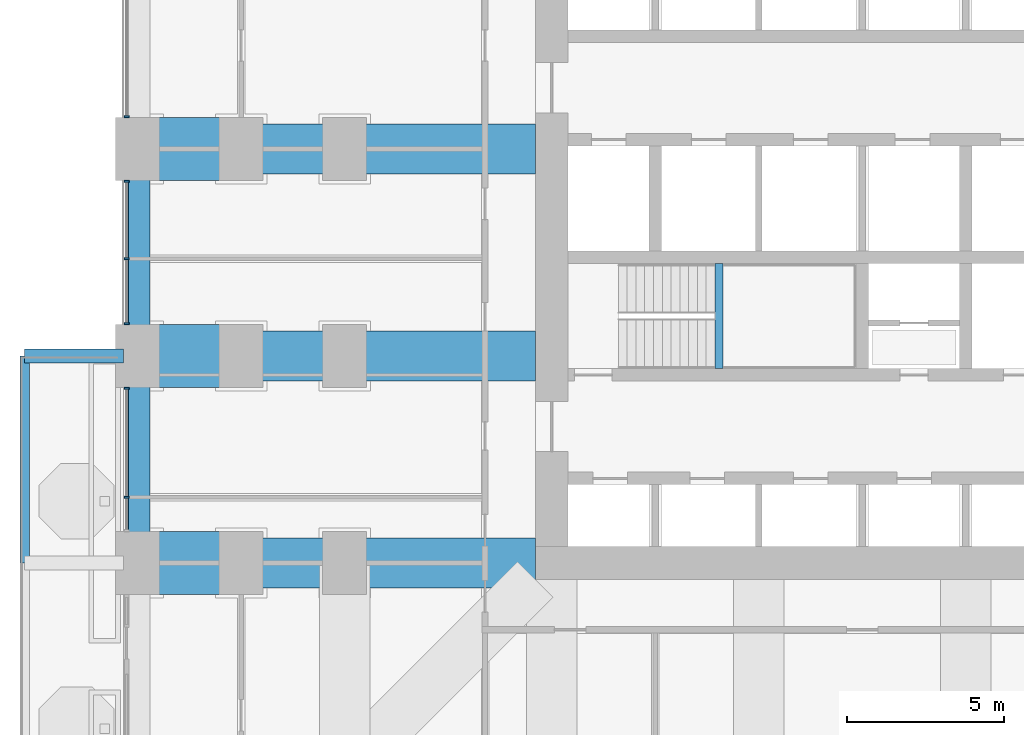
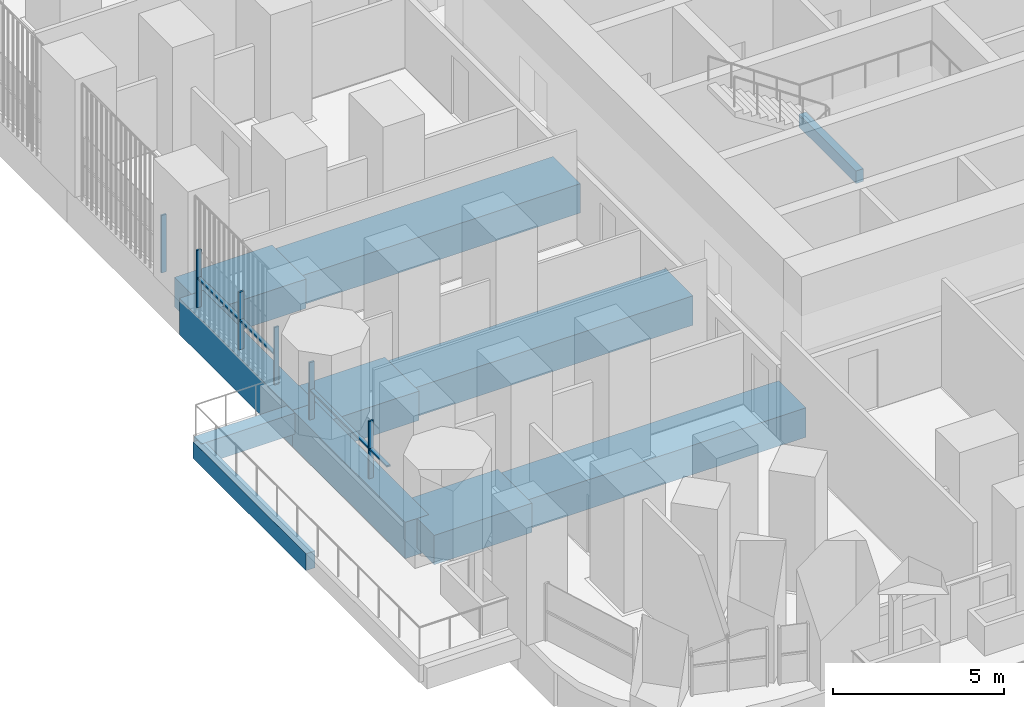
# One storey, part 4 of 27: 11 beams, 10 members, 3 elements without a shape of their own.
"""IFC4 building model written with IfcOpenShell, lengths in metres."""

from ifc_helpers import new_model, si_unit, direction, frame, origin, origin_2d, place, context, subcontext, project, spatial, rectangle, extrude, material, material_profile, profile_set, type_object, element, aggregate, save


model = new_model("IFC4")

# Units and contexts
model_context = context("Model", 3, precision=1e-05, world=origin(), true_north=direction((0.0, 1.0)))
body_context = subcontext(model_context, "Body", "Model", "MODEL_VIEW")
ifc_project = project(units=[si_unit("LENGTHUNIT", "METRE"), si_unit("AREAUNIT", "SQUARE_METRE"), si_unit("VOLUMEUNIT", "CUBIC_METRE"), si_unit("PLANEANGLEUNIT", "RADIAN"), si_unit("MASSUNIT", "GRAM", prefix="KILO")], contexts=[model_context])

# Site, building, storey
site_placement = place(None, origin())
site = spatial("IfcSite", under=ifc_project, at=site_placement, CompositionType="ELEMENT")
building_placement = place(site_placement, origin())
building = spatial("IfcBuilding", under=site, at=building_placement, Name="Cobogo Forest Laboratory Tower", CompositionType="ELEMENT")
storey_placement = place(building_placement, frame((0.0, 0.0, 71.699951171875)))
storey = spatial("IfcBuildingStorey", under=building, at=storey_placement, Name="L16", CompositionType="ELEMENT", Elevation=71.699951171875)

# Beams
ifc_material_1 = material(Name="Concrete HA-40 (C40/50)", Category="concrete")
ifc_material_profile_1 = material_profile(ifc_material_1, rectangle(XDim=0.449951171875, YDim=0.75, at=origin_2d()), Name="RC 450x750")
ifc_profile_set_1 = profile_set([ifc_material_profile_1], Name="Concrete HA-40 (C40/50)")
beam_type_1 = type_object("IfcBeamType", Name="Balcony cantilever beam 450x750", PredefinedType="BEAM", material=ifc_profile_set_1)
beam_1_placement = place(storey_placement, frame((-0.449951171875, 19.800048828125, -0.625), z_axis=(-1.0, 0.0, 0.0), x_axis=(0.0, -1.0, 0.0)))
element("IfcBeam", 1, at=beam_1_placement, inside=storey, type_object=beam_type_1, Name="CB1 BAL-W1-C3 L16", PredefinedType="BEAM", context=body_context, shape_type="SweptSolid", body=[
    extrude(rectangle(XDim=0.449951171875, YDim=0.75, at=origin_2d()), origin(), (0.0, 0.0, 1.0), 3.150146484375),
])
ifc_material_profile_2 = material_profile(ifc_material_1, rectangle(XDim=0.300048828125, YDim=0.60009765625, at=origin_2d()), Name="RC 300x600")
ifc_profile_set_2 = profile_set([ifc_material_profile_2], Name="Concrete HA-40 (C40/50)")
beam_type_2 = type_object("IfcBeamType", Name="Balcony edge beam 300x600", PredefinedType="BEAM", material=ifc_profile_set_2)
beam_2_placement = place(storey_placement, frame((-3.60009765625, 13.199951171875, -0.550048828125), z_axis=(0.0, 1.0, 0.0), x_axis=(-1.0, 0.0, 0.0)))
element("IfcBeam", 2, at=beam_2_placement, inside=storey, type_object=beam_type_2, Name="BB1 BAL-W1-T2 L16", PredefinedType="BEAM", context=body_context, shape_type="SweptSolid", body=[
    extrude(rectangle(XDim=0.300048828125, YDim=0.60009765625, at=origin_2d()), origin(), (0.0, 0.0, 1.0), 6.60009765625),
])
ifc_material_2 = material(Name="Concrete HA-50 (C50/60)", Category="concrete")
ifc_material_profile_3 = material_profile(ifc_material_2, rectangle(XDim=2.0, YDim=1.050048828125, at=origin_2d()), Name="RC 2000x1050")
ifc_profile_set_3 = profile_set([ifc_material_profile_3], Name="Concrete HA-50 (C50/60)")
beam_type_3 = type_object("IfcBeamType", Name="End-bay wide beam 2000x1050", PredefinedType="BEAM", material=ifc_profile_set_3)
for number, where, z_axis, x_axis, name in (
    (3, (0.0, 13.199951171875, -0.824951171875), (1.0, 0.0, 0.0), (0.0, 1.0, 0.0), "RB7 R-C-W-X L16"),
    (4, (0.0, 19.800048828125, -0.824951171875), (1.0, 0.0, 0.0), (0.0, 1.0, 0.0), "RB7 R-D-W-X L16"),
    (5, (0.0, 26.39990234375, -0.824951171875), (1.0, 0.0, 0.0), (0.0, 1.0, 0.0), "RB7 R-E-W-X L16"),
):
    element("IfcBeam", number, at=place(storey_placement, frame(where, z_axis=z_axis, x_axis=x_axis)), inside=storey, type_object=beam_type_3, Name=name, PredefinedType="BEAM", context=body_context, shape_type="SweptSolid", body=[
        extrude(rectangle(XDim=2.0, YDim=1.050048828125, at=origin_2d()), origin(), (0.0, 0.0, 1.0), 3.300048828125),
    ])
ifc_material_profile_4 = material_profile(ifc_material_1, rectangle(XDim=0.25, YDim=0.449951171875, at=origin_2d()), Name="RC 250x450")
ifc_profile_set_4 = profile_set([ifc_material_profile_4], Name="Concrete HA-40 (C40/50)")
beam_type_4 = type_object("IfcBeamType", Name="LB1 landing beam 250x450", PredefinedType="BEAM", material=ifc_profile_set_4)
beam_3_placement = place(storey_placement, frame((18.530029296875, 19.39990234375, 1.675048828125), z_axis=(0.0, 1.0, 0.0), x_axis=(-1.0, 0.0, 0.0)))
element("IfcBeam", 6, at=beam_3_placement, inside=storey, type_object=beam_type_4, Name="Landing beam ST1 L16", PredefinedType="BEAM", context=body_context, shape_type="SweptSolid", body=[
    extrude(rectangle(XDim=0.25, YDim=0.449951171875, at=origin_2d()), origin(), (0.0, 0.0, 1.0), 3.35009765625),
])
ifc_material_profile_5 = material_profile(ifc_material_2, rectangle(XDim=1.60009765625, YDim=1.050048828125, at=origin_2d()), Name="RC 1600x1050")
ifc_profile_set_5 = profile_set([ifc_material_profile_5], Name="Concrete HA-50 (C50/60)")
beam_type_5 = type_object("IfcBeamType", Name="Laboratory floor wide beam 1600x1050", PredefinedType="BEAM", material=ifc_profile_set_5)
for number, where, z_axis, x_axis, name in (
    (7, (12.675048828125, 13.199951171875, -0.824951171875), (-1.0, 0.0, 0.0), (0.0, -1.0, 0.0), "RB8 R-C-W L16"),
    (8, (12.675048828125, 19.800048828125, -0.824951171875), (-1.0, 0.0, 0.0), (0.0, -1.0, 0.0), "RB8 R-D-W L16"),
    (9, (12.675048828125, 26.39990234375, -0.824951171875), (-1.0, 0.0, 0.0), (0.0, -1.0, 0.0), "RB8 R-E-W L16"),
):
    element("IfcBeam", number, at=place(storey_placement, frame(where, z_axis=z_axis, x_axis=x_axis)), inside=storey, type_object=beam_type_5, Name=name, PredefinedType="BEAM", context=body_context, shape_type="SweptSolid", body=[
        extrude(rectangle(XDim=1.60009765625, YDim=1.050048828125, at=origin_2d()), origin(), (0.0, 0.0, 1.0), 9.375),
    ])

# Curtain wall, member
ifc_material_3 = material(Name="Aluminium curtain wall", Category="aluminium")
curtain_wall_type = type_object("IfcCurtainWallType", Name="CW-1 unitised curtain wall, clear glazing, laboratory floors zones A and B", PredefinedType="USERDEFINED", material=ifc_material_3)
curtain_wall_1_placement = place(storey_placement, origin())
curtain_wall_1 = element("IfcCurtainWall", 10, at=curtain_wall_1_placement, inside=storey, type_object=curtain_wall_type, Name="Curtain wall 28 L16", ObjectType="UNITISED CURTAIN WALL", PredefinedType="USERDEFINED")
ifc_material_4 = material(Name="Aluminium mullion", Category="aluminium")
ifc_material_profile_6 = material_profile(ifc_material_4, rectangle(XDim=0.06005859375, YDim=0.159912109375, at=origin_2d()), Name="AL 60x160")
ifc_profile_set_6 = profile_set([ifc_material_profile_6], Name="Aluminium mullion")
member_type_1 = type_object("IfcMemberType", Name="MU-1 aluminium mullion 60x160", PredefinedType="MULLION", material=ifc_profile_set_6)
member_1_placement = place(storey_placement, frame((-0.35009765625, 27.429931640625, 0.0), z_axis=(0.0, 0.0, 1.0), x_axis=(0.0, -1.0, 0.0)))
member_1 = element("IfcMember", 11, at=member_1_placement, type_object=member_type_1, Name="CW-1 mullion 2", PredefinedType="MULLION", context=body_context, shape_type="SweptSolid", body=[
    extrude(rectangle(XDim=0.06005859375, YDim=0.159912109375, at=origin_2d()), origin(), (0.0, 0.0, 1.0), 2.050048828125),
])
aggregate(curtain_wall_1, [member_1])

# Curtain wall, members
curtain_wall_2_placement = place(storey_placement, origin())
curtain_wall_2 = element("IfcCurtainWall", 12, at=curtain_wall_2_placement, inside=storey, type_object=curtain_wall_type, Name="Curtain wall 29 L16", ObjectType="UNITISED CURTAIN WALL", PredefinedType="USERDEFINED")
member_2_placement = place(storey_placement, frame((-0.35009765625, 25.3701171875, 0.0), z_axis=(0.0, 0.0, 1.0), x_axis=(0.0, -1.0, 0.0)))
member_2 = element("IfcMember", 13, at=member_2_placement, type_object=member_type_1, Name="CW-1 mullion 1", PredefinedType="MULLION", context=body_context, shape_type="SweptSolid", body=[
    extrude(rectangle(XDim=0.06005859375, YDim=0.159912109375, at=origin_2d()), origin(), (0.0, 0.0, 1.0), 2.050048828125),
])
member_3_placement = place(storey_placement, frame((-0.35009765625, 22.89990234375, 0.0), z_axis=(0.0, 0.0, 1.0), x_axis=(0.0, -1.0, 0.0)))
member_3 = element("IfcMember", 14, at=member_3_placement, type_object=member_type_1, Name="CW-1 mullion 2", PredefinedType="MULLION", context=body_context, shape_type="SweptSolid", body=[
    extrude(rectangle(XDim=0.06005859375, YDim=0.159912109375, at=origin_2d()), origin(), (0.0, 0.0, 1.0), 2.050048828125),
])
member_4_placement = place(storey_placement, frame((-0.35009765625, 20.830078125, 0.0), z_axis=(0.0, 0.0, 1.0), x_axis=(0.0, -1.0, 0.0)))
member_4 = element("IfcMember", 15, at=member_4_placement, type_object=member_type_1, Name="CW-1 mullion 3", PredefinedType="MULLION", context=body_context, shape_type="SweptSolid", body=[
    extrude(rectangle(XDim=0.06005859375, YDim=0.159912109375, at=origin_2d()), origin(), (0.0, 0.0, 1.0), 2.050048828125),
])

curtain_wall_3_placement = place(storey_placement, origin())
curtain_wall_3 = element("IfcCurtainWall", 16, at=curtain_wall_3_placement, inside=storey, type_object=curtain_wall_type, Name="Curtain wall 30 L16", ObjectType="UNITISED CURTAIN WALL", PredefinedType="USERDEFINED")
member_5_placement = place(storey_placement, frame((-0.35009765625, 18.77001953125, 0.0), z_axis=(0.0, 0.0, 1.0), x_axis=(0.0, -1.0, 0.0)))
member_5 = element("IfcMember", 17, at=member_5_placement, type_object=member_type_1, Name="CW-1 mullion 1", PredefinedType="MULLION", context=body_context, shape_type="SweptSolid", body=[
    extrude(rectangle(XDim=0.06005859375, YDim=0.159912109375, at=origin_2d()), origin(), (0.0, 0.0, 1.0), 2.050048828125),
])
member_6_placement = place(storey_placement, frame((-0.35009765625, 15.300048828125, 0.0), z_axis=(0.0, 0.0, 1.0), x_axis=(0.0, -1.0, 0.0)))
member_6 = element("IfcMember", 18, at=member_6_placement, type_object=member_type_1, Name="CW-1 mullion 2", PredefinedType="MULLION", context=body_context, shape_type="SweptSolid", body=[
    extrude(rectangle(XDim=0.06005859375, YDim=0.159912109375, at=origin_2d()), origin(), (0.0, 0.0, 1.0), 2.050048828125),
])

# Beams
ifc_material_profile_7 = material_profile(ifc_material_1, rectangle(XDim=0.800048828125, YDim=1.300048828125, at=origin_2d()), Name="RC 800x1300")
ifc_profile_set_7 = profile_set([ifc_material_profile_7], Name="Concrete HA-40 (C40/50)")
beam_type_6 = type_object("IfcBeamType", Name="Perimeter edge beam 800x1300", PredefinedType="BEAM", material=ifc_profile_set_7)
beam_4_placement = place(storey_placement, frame((0.0, 13.199951171875, -0.949951171875), z_axis=(0.0, 1.0, 0.0), x_axis=(-1.0, 0.0, 0.0)))
element("IfcBeam", 19, at=beam_4_placement, inside=storey, type_object=beam_type_6, Name="EB2 E-W2 L16", PredefinedType="BEAM", context=body_context, shape_type="SweptSolid", body=[
    extrude(rectangle(XDim=0.800048828125, YDim=1.300048828125, at=origin_2d()), origin(), (0.0, 0.0, 1.0), 6.60009765625),
])
beam_5_placement = place(storey_placement, frame((0.0, 19.800048828125, -0.949951171875), z_axis=(0.0, 1.0, 0.0), x_axis=(-1.0, 0.0, 0.0)))
element("IfcBeam", 20, at=beam_5_placement, inside=storey, type_object=beam_type_6, Name="EB2 E-W3 L16", PredefinedType="BEAM", context=body_context, shape_type="SweptSolid", body=[
    extrude(rectangle(XDim=0.800048828125, YDim=1.300048828125, at=origin_2d()), origin(), (0.0, 0.0, 1.0), 6.599853515625),
])

# Member
ifc_material_5 = material(Name="Aluminium transom", Category="aluminium")
ifc_material_profile_8 = material_profile(ifc_material_5, rectangle(XDim=0.1201171875, YDim=0.06005859375, at=origin_2d()), Name="AL 60x120")
ifc_profile_set_8 = profile_set([ifc_material_profile_8], Name="Aluminium transom")
member_type_2 = type_object("IfcMemberType", Name="TR-1 aluminium transom 60x120", PredefinedType="USERDEFINED", material=ifc_profile_set_8)
member_7_placement = place(storey_placement, frame((-0.35009765625, 25.340087890625, 1.050048828125), z_axis=(0.0, -1.0, 0.0), x_axis=(1.0, 0.0, 0.0)))
member_7 = element("IfcMember", 21, at=member_7_placement, type_object=member_type_2, Name="CW-1 transom 1.1", ObjectType="TRANSOM", PredefinedType="USERDEFINED", context=body_context, shape_type="SweptSolid", body=[
    extrude(rectangle(XDim=0.1201171875, YDim=0.06005859375, at=origin_2d()), origin(), (0.0, 0.0, 1.0), 2.41015625),
])

member_8_placement = place(storey_placement, frame((-0.35009765625, 22.8701171875, 1.050048828125), z_axis=(0.0, -1.0, 0.0), x_axis=(1.0, 0.0, 0.0)))
member_8 = element("IfcMember", 22, at=member_8_placement, type_object=member_type_2, Name="CW-1 transom 2.1", ObjectType="TRANSOM", PredefinedType="USERDEFINED", context=body_context, shape_type="SweptSolid", body=[
    extrude(rectangle(XDim=0.1201171875, YDim=0.06005859375, at=origin_2d()), origin(), (0.0, 0.0, 1.0), 2.010009765625),
])

aggregate(curtain_wall_2, [member_2, member_3, member_4, member_7, member_8])

member_9_placement = place(storey_placement, frame((-0.35009765625, 18.739990234375, 1.050048828125), z_axis=(0.0, -1.0, 0.0), x_axis=(1.0, 0.0, 0.0)))
member_9 = element("IfcMember", 23, at=member_9_placement, type_object=member_type_2, Name="CW-1 transom 1.1", ObjectType="TRANSOM", PredefinedType="USERDEFINED", context=body_context, shape_type="SweptSolid", body=[
    extrude(rectangle(XDim=0.1201171875, YDim=0.06005859375, at=origin_2d()), origin(), (0.0, 0.0, 1.0), 3.409912109375),
])

member_10_placement = place(storey_placement, frame((-0.35009765625, 15.27001953125, 1.050048828125), z_axis=(0.0, -1.0, 0.0), x_axis=(1.0, 0.0, 0.0)))
member_10 = element("IfcMember", 24, at=member_10_placement, type_object=member_type_2, Name="CW-1 transom 2.1", ObjectType="TRANSOM", PredefinedType="USERDEFINED", context=body_context, shape_type="SweptSolid", body=[
    extrude(rectangle(XDim=0.1201171875, YDim=0.06005859375, at=origin_2d()), origin(), (0.0, 0.0, 1.0), 1.010009765625),
])

aggregate(curtain_wall_3, [member_5, member_6, member_9, member_10])

save(model, "model.ifc")
